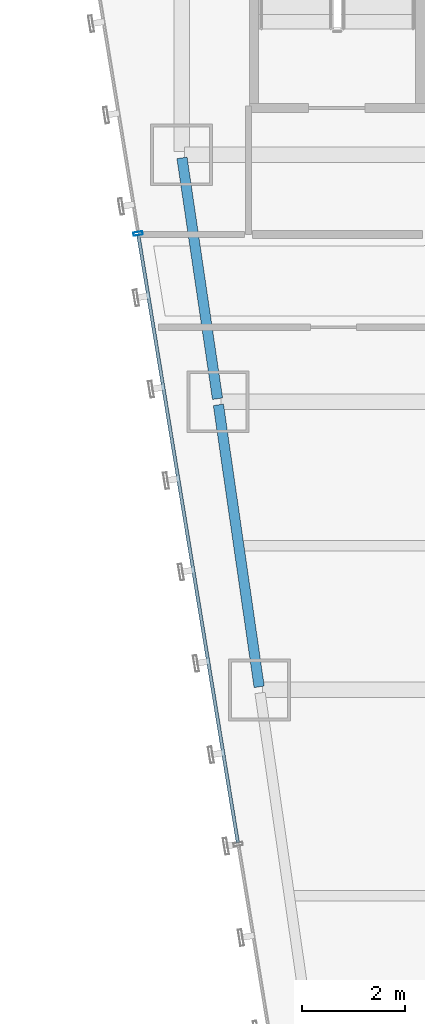
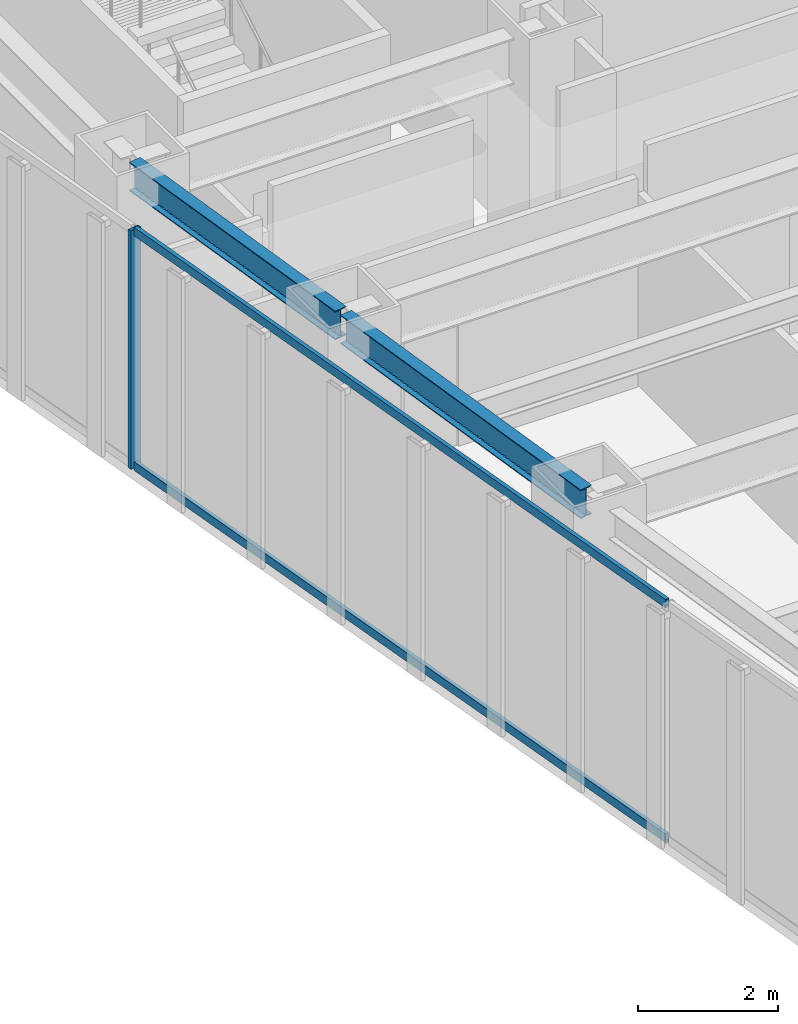
# One storey, part 22 of 49: 3 members, 2 beams, 1 element without a shape of its own.
"""IFC4 building model written with IfcOpenShell, lengths in metres."""

from ifc_helpers import new_model, si_unit, direction, frame, origin, origin_2d, place, context, subcontext, project, spatial, hollow_rectangle, i_section, extrude, material, material_profile, profile_set, type_object, element, aggregate, save


model = new_model("IFC4")

# Units and contexts
model_context = context("Model", 3, precision=1e-05, world=origin(), true_north=direction((0.0, 1.0)))
body_context = subcontext(model_context, "Body", "Model", "MODEL_VIEW")
ifc_project = project(units=[si_unit("LENGTHUNIT", "METRE"), si_unit("AREAUNIT", "SQUARE_METRE"), si_unit("VOLUMEUNIT", "CUBIC_METRE"), si_unit("PLANEANGLEUNIT", "RADIAN"), si_unit("MASSUNIT", "GRAM", prefix="KILO")], contexts=[model_context])

# Site, building, storey
site_placement = place(None, origin())
site = spatial("IfcSite", under=ifc_project, at=site_placement, CompositionType="ELEMENT")
building_placement = place(site_placement, origin())
building = spatial("IfcBuilding", under=site, at=building_placement, Name="Saevonmaru Cultural Tower", CompositionType="ELEMENT")
storey_placement = place(building_placement, frame((0.0, 0.0, 73.60009765625)))
storey = spatial("IfcBuildingStorey", under=building, at=storey_placement, Name="L15", CompositionType="ELEMENT", Elevation=73.60009765625)

# Beams
ifc_material_1 = material(Name="Steel SM355", Category="steel")
ifc_material_profile_1 = material_profile(ifc_material_1, i_section(OverallWidth=0.199951171875, OverallDepth=0.5, WebThickness=0.010009765625, FlangeThickness=0.01611328125, FilletRadius=0.02001953125, at=origin_2d()), Name="H-500x200x10x16")
ifc_profile_set_1 = profile_set([ifc_material_profile_1], Name="Steel SM355")
beam_type = type_object("IfcBeamType", Name="BM-SP-H500", PredefinedType="SPANDREL", material=ifc_profile_set_1)
beam_1_placement = place(storey_placement, frame((8.308349609375, 32.059326171875, 3.89990234375), z_axis=(-0.142964121327, 0.989727871697, 0.0), x_axis=(-0.989727871697, -0.142964121327, 0.0)))
element("IfcBeam", 1, at=beam_1_placement, inside=storey, type_object=beam_type, Name="L15 West Splayed Spandrel 5", PredefinedType="SPANDREL", context=body_context, shape_type="SweptSolid", body=[
    extrude(i_section(OverallWidth=0.199951171875, OverallDepth=0.5, WebThickness=0.010009765625, FlangeThickness=0.01611328125, FilletRadius=0.02001953125, at=origin_2d()), origin(), (0.0, 0.0, 1.0), 5.5380859375),
])
beam_2_placement = place(storey_placement, frame((7.499267578125, 37.659423828125, 3.89990234375), z_axis=(-0.145912860028, 0.989297446312, 0.0), x_axis=(-0.989297446312, -0.145912860028, 0.0)))
element("IfcBeam", 2, at=beam_2_placement, inside=storey, type_object=beam_type, Name="L15 West Splayed Spandrel 6", PredefinedType="SPANDREL", context=body_context, shape_type="SweptSolid", body=[
    extrude(i_section(OverallWidth=0.199951171875, OverallDepth=0.5, WebThickness=0.010009765625, FlangeThickness=0.01611328125, FilletRadius=0.02001953125, at=origin_2d()), origin(), (0.0, 0.0, 1.0), 4.731689453125),
])

# Curtain wall, members
ifc_material_2 = material(Name="Satin Bronze Anodised Aluminium", Category="aluminium")
curtain_wall_type = type_object("IfcCurtainWallType", Name="CW-TYP-A", PredefinedType="NOTDEFINED", material=ifc_material_2)
curtain_wall_placement = place(storey_placement, origin())
curtain_wall = element("IfcCurtainWall", 3, at=curtain_wall_placement, inside=storey, type_object=curtain_wall_type, Name="L15 Unitised Curtain Wall E12", PredefinedType="NOTDEFINED")
ifc_material_profile_2 = material_profile(ifc_material_2, hollow_rectangle(XDim=0.06494140625, YDim=0.179931640625, WallThickness=0.00390625, at=origin_2d()), Name="ALU-MULL-180x65x4")
ifc_profile_set_2 = profile_set([ifc_material_profile_2], Name="Satin Bronze Anodised Aluminium")
member_type_1 = type_object("IfcMemberType", Name="ML-CW-180x65", PredefinedType="MULLION", material=ifc_profile_set_2)
member_1_placement = place(storey_placement, frame((5.954833984375, 40.870361328125, 0.0), z_axis=(0.0, 0.0, 1.0), x_axis=(0.161708868641, -0.986838508472, 0.0)))
member_1 = element("IfcMember", 4, at=member_1_placement, type_object=member_type_1, Name="CW-TW-L15-E12 mullion 2", PredefinedType="MULLION", context=body_context, shape_type="SweptSolid", body=[
    extrude(hollow_rectangle(XDim=0.06494140625, YDim=0.179931640625, WallThickness=0.00390625, at=origin_2d()), origin(), (0.0, 0.0, 1.0), 4.14990234375),
])
ifc_material_profile_3 = material_profile(ifc_material_2, hollow_rectangle(XDim=0.06494140625, YDim=0.14990234375, WallThickness=0.00390625, at=origin_2d()), Name="ALU-TRAN-150x65x4")
ifc_profile_set_3 = profile_set([ifc_material_profile_3], Name="Satin Bronze Anodised Aluminium")
member_type_2 = type_object("IfcMemberType", Name="TR-CW-150x65", PredefinedType="USERDEFINED", material=ifc_profile_set_3)
member_2_placement = place(storey_placement, frame((5.960205078125, 40.83837890625, 0.032470703125), z_axis=(0.161701400727, -0.986839732177, 0.0), x_axis=(0.986839732177, 0.161701400727, 0.0)))
member_2 = element("IfcMember", 5, at=member_2_placement, type_object=member_type_2, Name="CW-TW-L15-E12 transom 2.1", ObjectType="TRANSOM", PredefinedType="USERDEFINED", context=body_context, shape_type="SweptSolid", body=[
    extrude(hollow_rectangle(XDim=0.06494140625, YDim=0.14990234375, WallThickness=0.00390625, at=origin_2d()), origin(), (0.0, 0.0, 1.0), 11.9638671875),
])
member_3_placement = place(storey_placement, frame((5.960205078125, 40.83837890625, 4.117431640625), z_axis=(0.161701400727, -0.986839732177, 0.0), x_axis=(0.986839732177, 0.161701400727, 0.0)))
member_3 = element("IfcMember", 6, at=member_3_placement, type_object=member_type_2, Name="CW-TW-L15-E12 transom 2.2", ObjectType="TRANSOM", PredefinedType="USERDEFINED", context=body_context, shape_type="SweptSolid", body=[
    extrude(hollow_rectangle(XDim=0.06494140625, YDim=0.14990234375, WallThickness=0.00390625, at=origin_2d()), origin(), (0.0, 0.0, 1.0), 11.9638671875),
])
aggregate(curtain_wall, [member_1, member_2, member_3])

save(model, "model.ifc")
